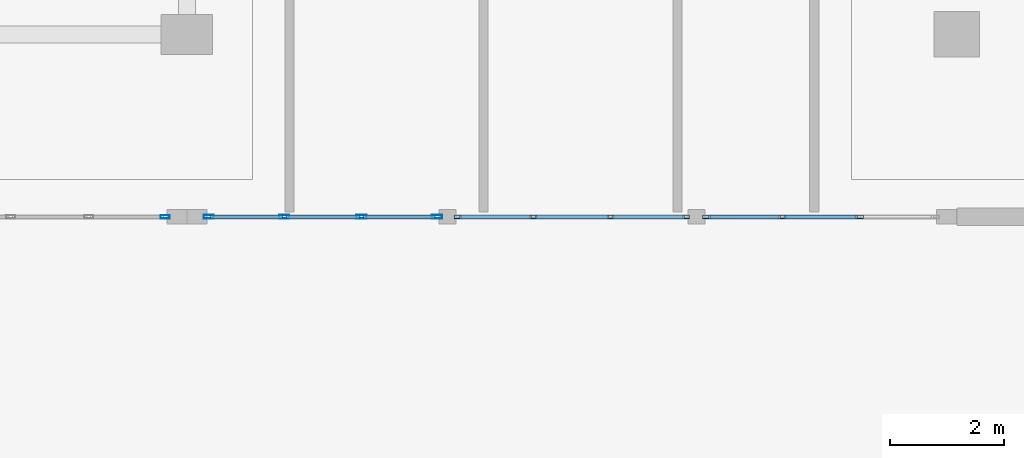
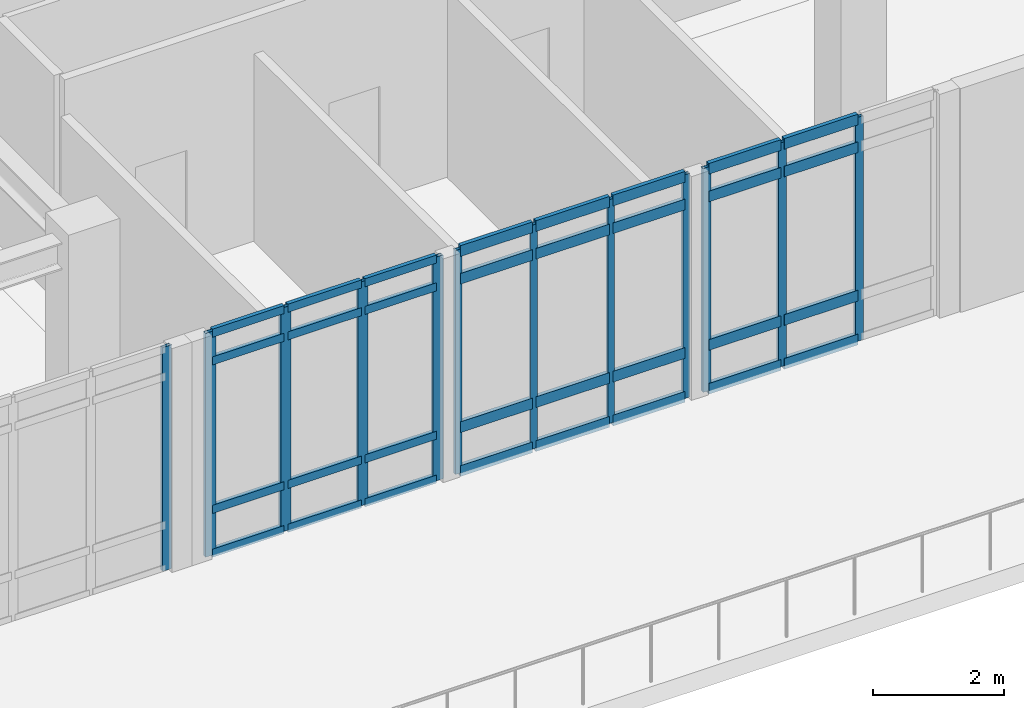
# One storey, part 10 of 55: 44 members, 4 elements without a shape of their own.
"""IFC4 building model written with IfcOpenShell, lengths in metres."""

from ifc_helpers import new_model, si_unit, direction, frame, origin, origin_2d, place, context, subcontext, project, spatial, hollow_rectangle, extrude, material, layer, layer_set, material_profile, profile_set, type_object, element, aggregate, save


model = new_model("IFC4")

# Units and contexts
model_context = context("Model", 3, precision=1e-05, world=origin(), true_north=direction((0.0, 1.0)))
body_context = subcontext(model_context, "Body", "Model", "MODEL_VIEW")
ifc_project = project(units=[si_unit("LENGTHUNIT", "METRE"), si_unit("AREAUNIT", "SQUARE_METRE"), si_unit("VOLUMEUNIT", "CUBIC_METRE"), si_unit("PLANEANGLEUNIT", "RADIAN"), si_unit("MASSUNIT", "GRAM", prefix="KILO")], contexts=[model_context])

# Site, building, storey
site_placement = place(None, origin())
site = spatial("IfcSite", under=ifc_project, at=site_placement, CompositionType="ELEMENT")
building_placement = place(site_placement, origin())
building = spatial("IfcBuilding", under=site, at=building_placement, Name="Fikremerkos Civic Library", CompositionType="ELEMENT")
storey_placement = place(building_placement, frame((0.0, 0.0, 18.89990234375)))
storey = spatial("IfcBuildingStorey", under=building, at=storey_placement, Name="L04", CompositionType="ELEMENT", Elevation=18.89990234375)

# Curtain wall, members
ifc_material = material(Name="Anodized aluminium Frame", Category="aluminium")
ifc_layer_1 = layer(ifc_material, 0.159912109375, Name="Anodized aluminium Frame")
ifc_layer_set_1 = layer_set([ifc_layer_1], Name="Anodized aluminium Frame")
curtain_wall_type_1 = type_object("IfcCurtainWallType", Name="Unitised curtain wall CW-09 3600x3400", PredefinedType="USERDEFINED", material=ifc_layer_set_1)
curtain_wall_1_placement = place(storey_placement, origin())
curtain_wall_1 = element("IfcCurtainWall", 1, at=curtain_wall_1_placement, inside=storey, type_object=curtain_wall_type_1, Name="Unitised curtain wall CW-09 L04 #225", ObjectType="UNITISED CURTAIN WALL", PredefinedType="USERDEFINED")
ifc_material_profile_1 = material_profile(ifc_material, hollow_rectangle(XDim=0.06494140625, YDim=0.179931640625, WallThickness=0.00439453125, at=origin_2d()), Name="ALU 180x65x4.5")
ifc_profile_set_1 = profile_set([ifc_material_profile_1], Name="Anodized aluminium Frame")
member_type_1 = type_object("IfcMemberType", Name="Curtain mullion CWM-01 ALU 180x65x4.5", PredefinedType="MULLION", material=ifc_profile_set_1)
member_1_placement = place(storey_placement, frame((37.084716796875, 8.800048828125, 0.0), z_axis=(0.0, 0.0, 1.0), x_axis=(0.0, -1.0, 0.0)))
member_1 = element("IfcMember", 2, at=member_1_placement, type_object=member_type_1, Name="CW-09 mullion 1", PredefinedType="MULLION", context=body_context, shape_type="SweptSolid", body=[
    extrude(hollow_rectangle(XDim=0.06494140625, YDim=0.179931640625, WallThickness=0.00439453125, at=origin_2d()), origin(), (0.0, 0.0, 1.0), 4.16015625),
])
member_2_placement = place(storey_placement, frame((35.76220703125, 8.800048828125, 0.0), z_axis=(0.0, 0.0, 1.0), x_axis=(0.0, -1.0, 0.0)))
member_2 = element("IfcMember", 3, at=member_2_placement, type_object=member_type_1, Name="CW-09 mullion 2", PredefinedType="MULLION", context=body_context, shape_type="SweptSolid", body=[
    extrude(hollow_rectangle(XDim=0.06494140625, YDim=0.179931640625, WallThickness=0.00439453125, at=origin_2d()), origin(), (0.0, 0.0, 1.0), 4.16015625),
])
member_3_placement = place(storey_placement, frame((34.4072265625, 8.800048828125, 0.0), z_axis=(0.0, 0.0, 1.0), x_axis=(0.0, -1.0, 0.0)))
member_3 = element("IfcMember", 4, at=member_3_placement, type_object=member_type_1, Name="CW-09 mullion 3", PredefinedType="MULLION", context=body_context, shape_type="SweptSolid", body=[
    extrude(hollow_rectangle(XDim=0.06494140625, YDim=0.179931640625, WallThickness=0.00439453125, at=origin_2d()), origin(), (0.0, 0.0, 1.0), 4.16015625),
])
member_4_placement = place(storey_placement, frame((33.08447265625, 8.800048828125, 0.0), z_axis=(0.0, 0.0, 1.0), x_axis=(0.0, -1.0, 0.0)))
member_4 = element("IfcMember", 5, at=member_4_placement, type_object=member_type_1, Name="CW-09 mullion 4", PredefinedType="MULLION", context=body_context, shape_type="SweptSolid", body=[
    extrude(hollow_rectangle(XDim=0.06494140625, YDim=0.179931640625, WallThickness=0.00439453125, at=origin_2d()), origin(), (0.0, 0.0, 1.0), 4.16015625),
])

# Curtain wall, member
ifc_layer_2 = layer(ifc_material, 0.159912109375, Name="Anodized aluminium Frame")
ifc_layer_set_2 = layer_set([ifc_layer_2], Name="Anodized aluminium Frame")
curtain_wall_type_2 = type_object("IfcCurtainWallType", Name="Unitised curtain wall CW-10 4000x3400", PredefinedType="USERDEFINED", material=ifc_layer_set_2)
curtain_wall_2_placement = place(storey_placement, origin())
curtain_wall_2 = element("IfcCurtainWall", 6, at=curtain_wall_2_placement, inside=storey, type_object=curtain_wall_type_2, Name="Unitised curtain wall CW-10 L04 #226", ObjectType="UNITISED CURTAIN WALL", PredefinedType="USERDEFINED")
ifc_material_profile_2 = material_profile(ifc_material, hollow_rectangle(XDim=0.06005859375, YDim=0.159912109375, WallThickness=0.00390625, at=origin_2d()), Name="ALU 160x60x4")
ifc_profile_set_2 = profile_set([ifc_material_profile_2], Name="Anodized aluminium Frame")
member_type_2 = type_object("IfcMemberType", Name="Curtain mullion CWM-02 ALU 160x60x4", PredefinedType="MULLION", material=ifc_profile_set_2)
member_5_placement = place(storey_placement, frame((32.318115234375, 8.800048828125, 0.0), z_axis=(0.0, 0.0, 1.0), x_axis=(0.0, -1.0, 0.0)))
member_5 = element("IfcMember", 7, at=member_5_placement, type_object=member_type_2, Name="CW-10 mullion 1", PredefinedType="MULLION", context=body_context, shape_type="SweptSolid", body=[
    extrude(hollow_rectangle(XDim=0.06005859375, YDim=0.159912109375, WallThickness=0.00390625, at=origin_2d()), origin(), (0.0, 0.0, 1.0), 4.16015625),
])
aggregate(curtain_wall_2, [member_5])

# Curtain wall, members
ifc_layer_3 = layer(ifc_material, 0.159912109375, Name="Anodized aluminium Frame")
ifc_layer_set_3 = layer_set([ifc_layer_3], Name="Anodized aluminium Frame")
curtain_wall_type_3 = type_object("IfcCurtainWallType", Name="Unitised curtain wall CW-07 3500x4100", PredefinedType="USERDEFINED", material=ifc_layer_set_3)
curtain_wall_3_placement = place(storey_placement, origin())
curtain_wall_3 = element("IfcCurtainWall", 8, at=curtain_wall_3_placement, inside=storey, type_object=curtain_wall_type_3, Name="Unitised curtain wall CW-07 L04 #223", ObjectType="UNITISED CURTAIN WALL", PredefinedType="USERDEFINED")
ifc_material_profile_3 = material_profile(ifc_material, hollow_rectangle(XDim=0.06005859375, YDim=0.139892578125, WallThickness=0.00390625, at=origin_2d()), Name="ALU 140x60x4")
ifc_profile_set_3 = profile_set([ifc_material_profile_3], Name="Anodized aluminium Frame")
member_type_3 = type_object("IfcMemberType", Name="Curtain mullion CWM-03 ALU 140x60x4", PredefinedType="MULLION", material=ifc_profile_set_3)
member_6_placement = place(storey_placement, frame((44.492919921875, 8.800048828125, 0.0), z_axis=(0.0, 0.0, 1.0), x_axis=(0.0, -1.0, 0.0)))
member_6 = element("IfcMember", 9, at=member_6_placement, type_object=member_type_3, Name="CW-07 mullion 2", PredefinedType="MULLION", context=body_context, shape_type="SweptSolid", body=[
    extrude(hollow_rectangle(XDim=0.06005859375, YDim=0.139892578125, WallThickness=0.00390625, at=origin_2d()), origin(), (0.0, 0.0, 1.0), 4.16015625),
])
member_7_placement = place(storey_placement, frame((43.1376953125, 8.800048828125, 0.0), z_axis=(0.0, 0.0, 1.0), x_axis=(0.0, -1.0, 0.0)))
member_7 = element("IfcMember", 10, at=member_7_placement, type_object=member_type_3, Name="CW-07 mullion 3", PredefinedType="MULLION", context=body_context, shape_type="SweptSolid", body=[
    extrude(hollow_rectangle(XDim=0.06005859375, YDim=0.139892578125, WallThickness=0.00390625, at=origin_2d()), origin(), (0.0, 0.0, 1.0), 4.16015625),
])
member_8_placement = place(storey_placement, frame((41.812744140625, 8.800048828125, 0.0), z_axis=(0.0, 0.0, 1.0), x_axis=(0.0, -1.0, 0.0)))
member_8 = element("IfcMember", 11, at=member_8_placement, type_object=member_type_3, Name="CW-07 mullion 4", PredefinedType="MULLION", context=body_context, shape_type="SweptSolid", body=[
    extrude(hollow_rectangle(XDim=0.06005859375, YDim=0.139892578125, WallThickness=0.00390625, at=origin_2d()), origin(), (0.0, 0.0, 1.0), 4.16015625),
])

ifc_layer_4 = layer(ifc_material, 0.159912109375, Name="Anodized aluminium Frame")
ifc_layer_set_4 = layer_set([ifc_layer_4], Name="Anodized aluminium Frame")
curtain_wall_type_4 = type_object("IfcCurtainWallType", Name="Unitised curtain wall CW-08 4500x4100", PredefinedType="USERDEFINED", material=ifc_layer_set_4)
curtain_wall_4_placement = place(storey_placement, origin())
curtain_wall_4 = element("IfcCurtainWall", 12, at=curtain_wall_4_placement, inside=storey, type_object=curtain_wall_type_4, Name="Unitised curtain wall CW-08 L04 #224", ObjectType="UNITISED CURTAIN WALL", PredefinedType="USERDEFINED")
ifc_material_profile_4 = material_profile(ifc_material, hollow_rectangle(XDim=0.06005859375, YDim=0.1201171875, WallThickness=0.00390625, at=origin_2d()), Name="ALU 120x60x4")
ifc_profile_set_4 = profile_set([ifc_material_profile_4], Name="Anodized aluminium Frame")
member_type_4 = type_object("IfcMemberType", Name="Curtain mullion CWM-04 ALU 120x60x4", PredefinedType="MULLION", material=ifc_profile_set_4)
member_9_placement = place(storey_placement, frame((41.45263671875, 8.800048828125, 0.0), z_axis=(0.0, 0.0, 1.0), x_axis=(0.0, -1.0, 0.0)))
member_9 = element("IfcMember", 13, at=member_9_placement, type_object=member_type_4, Name="CW-08 mullion 1", PredefinedType="MULLION", context=body_context, shape_type="SweptSolid", body=[
    extrude(hollow_rectangle(XDim=0.06005859375, YDim=0.1201171875, WallThickness=0.00390625, at=origin_2d()), origin(), (0.0, 0.0, 1.0), 4.16015625),
])
member_10_placement = place(storey_placement, frame((40.12744140625, 8.800048828125, 0.0), z_axis=(0.0, 0.0, 1.0), x_axis=(0.0, -1.0, 0.0)))
member_10 = element("IfcMember", 14, at=member_10_placement, type_object=member_type_4, Name="CW-08 mullion 2", PredefinedType="MULLION", context=body_context, shape_type="SweptSolid", body=[
    extrude(hollow_rectangle(XDim=0.06005859375, YDim=0.1201171875, WallThickness=0.00390625, at=origin_2d()), origin(), (0.0, 0.0, 1.0), 4.16015625),
])
member_11_placement = place(storey_placement, frame((38.7724609375, 8.800048828125, 0.0), z_axis=(0.0, 0.0, 1.0), x_axis=(0.0, -1.0, 0.0)))
member_11 = element("IfcMember", 15, at=member_11_placement, type_object=member_type_4, Name="CW-08 mullion 3", PredefinedType="MULLION", context=body_context, shape_type="SweptSolid", body=[
    extrude(hollow_rectangle(XDim=0.06005859375, YDim=0.1201171875, WallThickness=0.00390625, at=origin_2d()), origin(), (0.0, 0.0, 1.0), 4.16015625),
])
member_12_placement = place(storey_placement, frame((37.447265625, 8.800048828125, 0.0), z_axis=(0.0, 0.0, 1.0), x_axis=(0.0, -1.0, 0.0)))
member_12 = element("IfcMember", 16, at=member_12_placement, type_object=member_type_4, Name="CW-08 mullion 4", PredefinedType="MULLION", context=body_context, shape_type="SweptSolid", body=[
    extrude(hollow_rectangle(XDim=0.06005859375, YDim=0.1201171875, WallThickness=0.00390625, at=origin_2d()), origin(), (0.0, 0.0, 1.0), 4.16015625),
])

# Member
ifc_material_profile_5 = material_profile(ifc_material, hollow_rectangle(XDim=0.070068359375, YDim=0.14990234375, WallThickness=0.00439453125, at=origin_2d()), Name="ALU 150x70x4.5")
ifc_profile_set_5 = profile_set([ifc_material_profile_5], Name="Anodized aluminium Frame")
member_type_5 = type_object("IfcMemberType", Name="Curtain transom CWT-01 ALU 150x70x4.5", PredefinedType="USERDEFINED", material=ifc_profile_set_5)
member_13_placement = place(storey_placement, frame((37.05224609375, 8.800048828125, 0.03515625), z_axis=(-1.0, 0.0, 0.0), x_axis=(0.0, -1.0, 0.0)))
member_13 = element("IfcMember", 17, at=member_13_placement, type_object=member_type_5, Name="CW-09 transom 1.1", ObjectType="TRANSOM", PredefinedType="USERDEFINED", context=body_context, shape_type="SweptSolid", body=[
    extrude(hollow_rectangle(XDim=0.070068359375, YDim=0.14990234375, WallThickness=0.00439453125, at=origin_2d()), origin(), (0.0, 0.0, 1.0), 1.257568359375),
])

member_14_placement = place(storey_placement, frame((37.05224609375, 8.800048828125, 0.85009765625), z_axis=(-1.0, 0.0, 0.0), x_axis=(0.0, -1.0, 0.0)))
member_14 = element("IfcMember", 18, at=member_14_placement, type_object=member_type_5, Name="CW-09 transom 1.2", ObjectType="TRANSOM", PredefinedType="USERDEFINED", context=body_context, shape_type="SweptSolid", body=[
    extrude(hollow_rectangle(XDim=0.070068359375, YDim=0.14990234375, WallThickness=0.00439453125, at=origin_2d()), origin(), (0.0, 0.0, 1.0), 1.257568359375),
])

member_15_placement = place(storey_placement, frame((37.05224609375, 8.800048828125, 3.610107421875), z_axis=(-1.0, 0.0, 0.0), x_axis=(0.0, -1.0, 0.0)))
member_15 = element("IfcMember", 19, at=member_15_placement, type_object=member_type_5, Name="CW-09 transom 1.3", ObjectType="TRANSOM", PredefinedType="USERDEFINED", context=body_context, shape_type="SweptSolid", body=[
    extrude(hollow_rectangle(XDim=0.070068359375, YDim=0.14990234375, WallThickness=0.00439453125, at=origin_2d()), origin(), (0.0, 0.0, 1.0), 1.257568359375),
])

member_16_placement = place(storey_placement, frame((37.05224609375, 8.800048828125, 4.125), z_axis=(-1.0, 0.0, 0.0), x_axis=(0.0, -1.0, 0.0)))
member_16 = element("IfcMember", 20, at=member_16_placement, type_object=member_type_5, Name="CW-09 transom 1.4", ObjectType="TRANSOM", PredefinedType="USERDEFINED", context=body_context, shape_type="SweptSolid", body=[
    extrude(hollow_rectangle(XDim=0.070068359375, YDim=0.14990234375, WallThickness=0.00439453125, at=origin_2d()), origin(), (0.0, 0.0, 1.0), 1.257568359375),
])

member_17_placement = place(storey_placement, frame((35.729736328125, 8.800048828125, 0.03515625), z_axis=(-1.0, 0.0, 0.0), x_axis=(0.0, -1.0, 0.0)))
member_17 = element("IfcMember", 21, at=member_17_placement, type_object=member_type_5, Name="CW-09 transom 2.1", ObjectType="TRANSOM", PredefinedType="USERDEFINED", context=body_context, shape_type="SweptSolid", body=[
    extrude(hollow_rectangle(XDim=0.070068359375, YDim=0.14990234375, WallThickness=0.00439453125, at=origin_2d()), origin(), (0.0, 0.0, 1.0), 1.2900390625),
])

member_18_placement = place(storey_placement, frame((35.729736328125, 8.800048828125, 0.85009765625), z_axis=(-1.0, 0.0, 0.0), x_axis=(0.0, -1.0, 0.0)))
member_18 = element("IfcMember", 22, at=member_18_placement, type_object=member_type_5, Name="CW-09 transom 2.2", ObjectType="TRANSOM", PredefinedType="USERDEFINED", context=body_context, shape_type="SweptSolid", body=[
    extrude(hollow_rectangle(XDim=0.070068359375, YDim=0.14990234375, WallThickness=0.00439453125, at=origin_2d()), origin(), (0.0, 0.0, 1.0), 1.2900390625),
])

member_19_placement = place(storey_placement, frame((35.729736328125, 8.800048828125, 3.610107421875), z_axis=(-1.0, 0.0, 0.0), x_axis=(0.0, -1.0, 0.0)))
member_19 = element("IfcMember", 23, at=member_19_placement, type_object=member_type_5, Name="CW-09 transom 2.3", ObjectType="TRANSOM", PredefinedType="USERDEFINED", context=body_context, shape_type="SweptSolid", body=[
    extrude(hollow_rectangle(XDim=0.070068359375, YDim=0.14990234375, WallThickness=0.00439453125, at=origin_2d()), origin(), (0.0, 0.0, 1.0), 1.2900390625),
])

member_20_placement = place(storey_placement, frame((35.729736328125, 8.800048828125, 4.125), z_axis=(-1.0, 0.0, 0.0), x_axis=(0.0, -1.0, 0.0)))
member_20 = element("IfcMember", 24, at=member_20_placement, type_object=member_type_5, Name="CW-09 transom 2.4", ObjectType="TRANSOM", PredefinedType="USERDEFINED", context=body_context, shape_type="SweptSolid", body=[
    extrude(hollow_rectangle(XDim=0.070068359375, YDim=0.14990234375, WallThickness=0.00439453125, at=origin_2d()), origin(), (0.0, 0.0, 1.0), 1.2900390625),
])

member_21_placement = place(storey_placement, frame((34.37451171875, 8.800048828125, 0.03515625), z_axis=(-1.0, 0.0, 0.0), x_axis=(0.0, -1.0, 0.0)))
member_21 = element("IfcMember", 25, at=member_21_placement, type_object=member_type_5, Name="CW-09 transom 3.1", ObjectType="TRANSOM", PredefinedType="USERDEFINED", context=body_context, shape_type="SweptSolid", body=[
    extrude(hollow_rectangle(XDim=0.070068359375, YDim=0.14990234375, WallThickness=0.00439453125, at=origin_2d()), origin(), (0.0, 0.0, 1.0), 1.257568359375),
])

member_22_placement = place(storey_placement, frame((34.37451171875, 8.800048828125, 0.85009765625), z_axis=(-1.0, 0.0, 0.0), x_axis=(0.0, -1.0, 0.0)))
member_22 = element("IfcMember", 26, at=member_22_placement, type_object=member_type_5, Name="CW-09 transom 3.2", ObjectType="TRANSOM", PredefinedType="USERDEFINED", context=body_context, shape_type="SweptSolid", body=[
    extrude(hollow_rectangle(XDim=0.070068359375, YDim=0.14990234375, WallThickness=0.00439453125, at=origin_2d()), origin(), (0.0, 0.0, 1.0), 1.257568359375),
])

member_23_placement = place(storey_placement, frame((34.37451171875, 8.800048828125, 3.610107421875), z_axis=(-1.0, 0.0, 0.0), x_axis=(0.0, -1.0, 0.0)))
member_23 = element("IfcMember", 27, at=member_23_placement, type_object=member_type_5, Name="CW-09 transom 3.3", ObjectType="TRANSOM", PredefinedType="USERDEFINED", context=body_context, shape_type="SweptSolid", body=[
    extrude(hollow_rectangle(XDim=0.070068359375, YDim=0.14990234375, WallThickness=0.00439453125, at=origin_2d()), origin(), (0.0, 0.0, 1.0), 1.257568359375),
])

member_24_placement = place(storey_placement, frame((34.37451171875, 8.800048828125, 4.125), z_axis=(-1.0, 0.0, 0.0), x_axis=(0.0, -1.0, 0.0)))
member_24 = element("IfcMember", 28, at=member_24_placement, type_object=member_type_5, Name="CW-09 transom 3.4", ObjectType="TRANSOM", PredefinedType="USERDEFINED", context=body_context, shape_type="SweptSolid", body=[
    extrude(hollow_rectangle(XDim=0.070068359375, YDim=0.14990234375, WallThickness=0.00439453125, at=origin_2d()), origin(), (0.0, 0.0, 1.0), 1.257568359375),
])

aggregate(curtain_wall_1, [member_1, member_2, member_3, member_4, member_13, member_14, member_15, member_16, member_17, member_18, member_19, member_20, member_21, member_22, member_23, member_24])

ifc_material_profile_6 = material_profile(ifc_material, hollow_rectangle(XDim=0.070068359375, YDim=0.199951171875, WallThickness=0.0048828125, at=origin_2d()), Name="ALU 200x70x5")
ifc_profile_set_6 = profile_set([ifc_material_profile_6], Name="Anodized aluminium Frame")
member_type_6 = type_object("IfcMemberType", Name="Curtain transom CWT-04 ALU 200x70x5", PredefinedType="USERDEFINED", material=ifc_profile_set_6)
member_25_placement = place(storey_placement, frame((44.462890625, 8.800048828125, 0.03515625), z_axis=(-1.0, 0.0, 0.0), x_axis=(0.0, -1.0, 0.0)))
member_25 = element("IfcMember", 29, at=member_25_placement, type_object=member_type_6, Name="CW-07 transom 2.1", ObjectType="TRANSOM", PredefinedType="USERDEFINED", context=body_context, shape_type="SweptSolid", body=[
    extrude(hollow_rectangle(XDim=0.070068359375, YDim=0.199951171875, WallThickness=0.0048828125, at=origin_2d()), origin(), (0.0, 0.0, 1.0), 1.295166015625),
])

member_26_placement = place(storey_placement, frame((44.462890625, 8.800048828125, 0.85009765625), z_axis=(-1.0, 0.0, 0.0), x_axis=(0.0, -1.0, 0.0)))
member_26 = element("IfcMember", 30, at=member_26_placement, type_object=member_type_6, Name="CW-07 transom 2.2", ObjectType="TRANSOM", PredefinedType="USERDEFINED", context=body_context, shape_type="SweptSolid", body=[
    extrude(hollow_rectangle(XDim=0.070068359375, YDim=0.199951171875, WallThickness=0.0048828125, at=origin_2d()), origin(), (0.0, 0.0, 1.0), 1.295166015625),
])

member_27_placement = place(storey_placement, frame((44.462890625, 8.800048828125, 3.610107421875), z_axis=(-1.0, 0.0, 0.0), x_axis=(0.0, -1.0, 0.0)))
member_27 = element("IfcMember", 31, at=member_27_placement, type_object=member_type_6, Name="CW-07 transom 2.3", ObjectType="TRANSOM", PredefinedType="USERDEFINED", context=body_context, shape_type="SweptSolid", body=[
    extrude(hollow_rectangle(XDim=0.070068359375, YDim=0.199951171875, WallThickness=0.0048828125, at=origin_2d()), origin(), (0.0, 0.0, 1.0), 1.295166015625),
])

member_28_placement = place(storey_placement, frame((44.462890625, 8.800048828125, 4.125), z_axis=(-1.0, 0.0, 0.0), x_axis=(0.0, -1.0, 0.0)))
member_28 = element("IfcMember", 32, at=member_28_placement, type_object=member_type_6, Name="CW-07 transom 2.4", ObjectType="TRANSOM", PredefinedType="USERDEFINED", context=body_context, shape_type="SweptSolid", body=[
    extrude(hollow_rectangle(XDim=0.070068359375, YDim=0.199951171875, WallThickness=0.0048828125, at=origin_2d()), origin(), (0.0, 0.0, 1.0), 1.295166015625),
])

member_29_placement = place(storey_placement, frame((43.107666015625, 8.800048828125, 0.03515625), z_axis=(-1.0, 0.0, 0.0), x_axis=(0.0, -1.0, 0.0)))
member_29 = element("IfcMember", 33, at=member_29_placement, type_object=member_type_6, Name="CW-07 transom 3.1", ObjectType="TRANSOM", PredefinedType="USERDEFINED", context=body_context, shape_type="SweptSolid", body=[
    extrude(hollow_rectangle(XDim=0.070068359375, YDim=0.199951171875, WallThickness=0.0048828125, at=origin_2d()), origin(), (0.0, 0.0, 1.0), 1.264892578125),
])

member_30_placement = place(storey_placement, frame((43.107666015625, 8.800048828125, 0.85009765625), z_axis=(-1.0, 0.0, 0.0), x_axis=(0.0, -1.0, 0.0)))
member_30 = element("IfcMember", 34, at=member_30_placement, type_object=member_type_6, Name="CW-07 transom 3.2", ObjectType="TRANSOM", PredefinedType="USERDEFINED", context=body_context, shape_type="SweptSolid", body=[
    extrude(hollow_rectangle(XDim=0.070068359375, YDim=0.199951171875, WallThickness=0.0048828125, at=origin_2d()), origin(), (0.0, 0.0, 1.0), 1.264892578125),
])

member_31_placement = place(storey_placement, frame((43.107666015625, 8.800048828125, 3.610107421875), z_axis=(-1.0, 0.0, 0.0), x_axis=(0.0, -1.0, 0.0)))
member_31 = element("IfcMember", 35, at=member_31_placement, type_object=member_type_6, Name="CW-07 transom 3.3", ObjectType="TRANSOM", PredefinedType="USERDEFINED", context=body_context, shape_type="SweptSolid", body=[
    extrude(hollow_rectangle(XDim=0.070068359375, YDim=0.199951171875, WallThickness=0.0048828125, at=origin_2d()), origin(), (0.0, 0.0, 1.0), 1.264892578125),
])

member_32_placement = place(storey_placement, frame((43.107666015625, 8.800048828125, 4.125), z_axis=(-1.0, 0.0, 0.0), x_axis=(0.0, -1.0, 0.0)))
member_32 = element("IfcMember", 36, at=member_32_placement, type_object=member_type_6, Name="CW-07 transom 3.4", ObjectType="TRANSOM", PredefinedType="USERDEFINED", context=body_context, shape_type="SweptSolid", body=[
    extrude(hollow_rectangle(XDim=0.070068359375, YDim=0.199951171875, WallThickness=0.0048828125, at=origin_2d()), origin(), (0.0, 0.0, 1.0), 1.264892578125),
])

aggregate(curtain_wall_3, [member_6, member_7, member_8, member_25, member_26, member_27, member_28, member_29, member_30, member_31, member_32])

member_33_placement = place(storey_placement, frame((41.422607421875, 8.800048828125, 0.03515625), z_axis=(-1.0, 0.0, 0.0), x_axis=(0.0, -1.0, 0.0)))
member_33 = element("IfcMember", 37, at=member_33_placement, type_object=member_type_6, Name="CW-08 transom 1.1", ObjectType="TRANSOM", PredefinedType="USERDEFINED", context=body_context, shape_type="SweptSolid", body=[
    extrude(hollow_rectangle(XDim=0.070068359375, YDim=0.199951171875, WallThickness=0.0048828125, at=origin_2d()), origin(), (0.0, 0.0, 1.0), 1.26513671875),
])

member_34_placement = place(storey_placement, frame((41.422607421875, 8.800048828125, 0.85009765625), z_axis=(-1.0, 0.0, 0.0), x_axis=(0.0, -1.0, 0.0)))
member_34 = element("IfcMember", 38, at=member_34_placement, type_object=member_type_6, Name="CW-08 transom 1.2", ObjectType="TRANSOM", PredefinedType="USERDEFINED", context=body_context, shape_type="SweptSolid", body=[
    extrude(hollow_rectangle(XDim=0.070068359375, YDim=0.199951171875, WallThickness=0.0048828125, at=origin_2d()), origin(), (0.0, 0.0, 1.0), 1.26513671875),
])

member_35_placement = place(storey_placement, frame((41.422607421875, 8.800048828125, 3.610107421875), z_axis=(-1.0, 0.0, 0.0), x_axis=(0.0, -1.0, 0.0)))
member_35 = element("IfcMember", 39, at=member_35_placement, type_object=member_type_6, Name="CW-08 transom 1.3", ObjectType="TRANSOM", PredefinedType="USERDEFINED", context=body_context, shape_type="SweptSolid", body=[
    extrude(hollow_rectangle(XDim=0.070068359375, YDim=0.199951171875, WallThickness=0.0048828125, at=origin_2d()), origin(), (0.0, 0.0, 1.0), 1.26513671875),
])

member_36_placement = place(storey_placement, frame((41.422607421875, 8.800048828125, 4.125), z_axis=(-1.0, 0.0, 0.0), x_axis=(0.0, -1.0, 0.0)))
member_36 = element("IfcMember", 40, at=member_36_placement, type_object=member_type_6, Name="CW-08 transom 1.4", ObjectType="TRANSOM", PredefinedType="USERDEFINED", context=body_context, shape_type="SweptSolid", body=[
    extrude(hollow_rectangle(XDim=0.070068359375, YDim=0.199951171875, WallThickness=0.0048828125, at=origin_2d()), origin(), (0.0, 0.0, 1.0), 1.26513671875),
])

member_37_placement = place(storey_placement, frame((40.09765625, 8.800048828125, 0.03515625), z_axis=(-1.0, 0.0, 0.0), x_axis=(0.0, -1.0, 0.0)))
member_37 = element("IfcMember", 41, at=member_37_placement, type_object=member_type_6, Name="CW-08 transom 2.1", ObjectType="TRANSOM", PredefinedType="USERDEFINED", context=body_context, shape_type="SweptSolid", body=[
    extrude(hollow_rectangle(XDim=0.070068359375, YDim=0.199951171875, WallThickness=0.0048828125, at=origin_2d()), origin(), (0.0, 0.0, 1.0), 1.295166015625),
])

member_38_placement = place(storey_placement, frame((40.09765625, 8.800048828125, 0.85009765625), z_axis=(-1.0, 0.0, 0.0), x_axis=(0.0, -1.0, 0.0)))
member_38 = element("IfcMember", 42, at=member_38_placement, type_object=member_type_6, Name="CW-08 transom 2.2", ObjectType="TRANSOM", PredefinedType="USERDEFINED", context=body_context, shape_type="SweptSolid", body=[
    extrude(hollow_rectangle(XDim=0.070068359375, YDim=0.199951171875, WallThickness=0.0048828125, at=origin_2d()), origin(), (0.0, 0.0, 1.0), 1.295166015625),
])

member_39_placement = place(storey_placement, frame((40.09765625, 8.800048828125, 3.610107421875), z_axis=(-1.0, 0.0, 0.0), x_axis=(0.0, -1.0, 0.0)))
member_39 = element("IfcMember", 43, at=member_39_placement, type_object=member_type_6, Name="CW-08 transom 2.3", ObjectType="TRANSOM", PredefinedType="USERDEFINED", context=body_context, shape_type="SweptSolid", body=[
    extrude(hollow_rectangle(XDim=0.070068359375, YDim=0.199951171875, WallThickness=0.0048828125, at=origin_2d()), origin(), (0.0, 0.0, 1.0), 1.295166015625),
])

member_40_placement = place(storey_placement, frame((40.09765625, 8.800048828125, 4.125), z_axis=(-1.0, 0.0, 0.0), x_axis=(0.0, -1.0, 0.0)))
member_40 = element("IfcMember", 44, at=member_40_placement, type_object=member_type_6, Name="CW-08 transom 2.4", ObjectType="TRANSOM", PredefinedType="USERDEFINED", context=body_context, shape_type="SweptSolid", body=[
    extrude(hollow_rectangle(XDim=0.070068359375, YDim=0.199951171875, WallThickness=0.0048828125, at=origin_2d()), origin(), (0.0, 0.0, 1.0), 1.295166015625),
])

member_41_placement = place(storey_placement, frame((38.742431640625, 8.800048828125, 0.03515625), z_axis=(-1.0, 0.0, 0.0), x_axis=(0.0, -1.0, 0.0)))
member_41 = element("IfcMember", 45, at=member_41_placement, type_object=member_type_6, Name="CW-08 transom 3.1", ObjectType="TRANSOM", PredefinedType="USERDEFINED", context=body_context, shape_type="SweptSolid", body=[
    extrude(hollow_rectangle(XDim=0.070068359375, YDim=0.199951171875, WallThickness=0.0048828125, at=origin_2d()), origin(), (0.0, 0.0, 1.0), 1.26513671875),
])

member_42_placement = place(storey_placement, frame((38.742431640625, 8.800048828125, 0.85009765625), z_axis=(-1.0, 0.0, 0.0), x_axis=(0.0, -1.0, 0.0)))
member_42 = element("IfcMember", 46, at=member_42_placement, type_object=member_type_6, Name="CW-08 transom 3.2", ObjectType="TRANSOM", PredefinedType="USERDEFINED", context=body_context, shape_type="SweptSolid", body=[
    extrude(hollow_rectangle(XDim=0.070068359375, YDim=0.199951171875, WallThickness=0.0048828125, at=origin_2d()), origin(), (0.0, 0.0, 1.0), 1.26513671875),
])

member_43_placement = place(storey_placement, frame((38.742431640625, 8.800048828125, 3.610107421875), z_axis=(-1.0, 0.0, 0.0), x_axis=(0.0, -1.0, 0.0)))
member_43 = element("IfcMember", 47, at=member_43_placement, type_object=member_type_6, Name="CW-08 transom 3.3", ObjectType="TRANSOM", PredefinedType="USERDEFINED", context=body_context, shape_type="SweptSolid", body=[
    extrude(hollow_rectangle(XDim=0.070068359375, YDim=0.199951171875, WallThickness=0.0048828125, at=origin_2d()), origin(), (0.0, 0.0, 1.0), 1.26513671875),
])

member_44_placement = place(storey_placement, frame((38.742431640625, 8.800048828125, 4.125), z_axis=(-1.0, 0.0, 0.0), x_axis=(0.0, -1.0, 0.0)))
member_44 = element("IfcMember", 48, at=member_44_placement, type_object=member_type_6, Name="CW-08 transom 3.4", ObjectType="TRANSOM", PredefinedType="USERDEFINED", context=body_context, shape_type="SweptSolid", body=[
    extrude(hollow_rectangle(XDim=0.070068359375, YDim=0.199951171875, WallThickness=0.0048828125, at=origin_2d()), origin(), (0.0, 0.0, 1.0), 1.26513671875),
])

aggregate(curtain_wall_4, [member_9, member_10, member_11, member_12, member_33, member_34, member_35, member_36, member_37, member_38, member_39, member_40, member_41, member_42, member_43, member_44])

save(model, "model.ifc")
